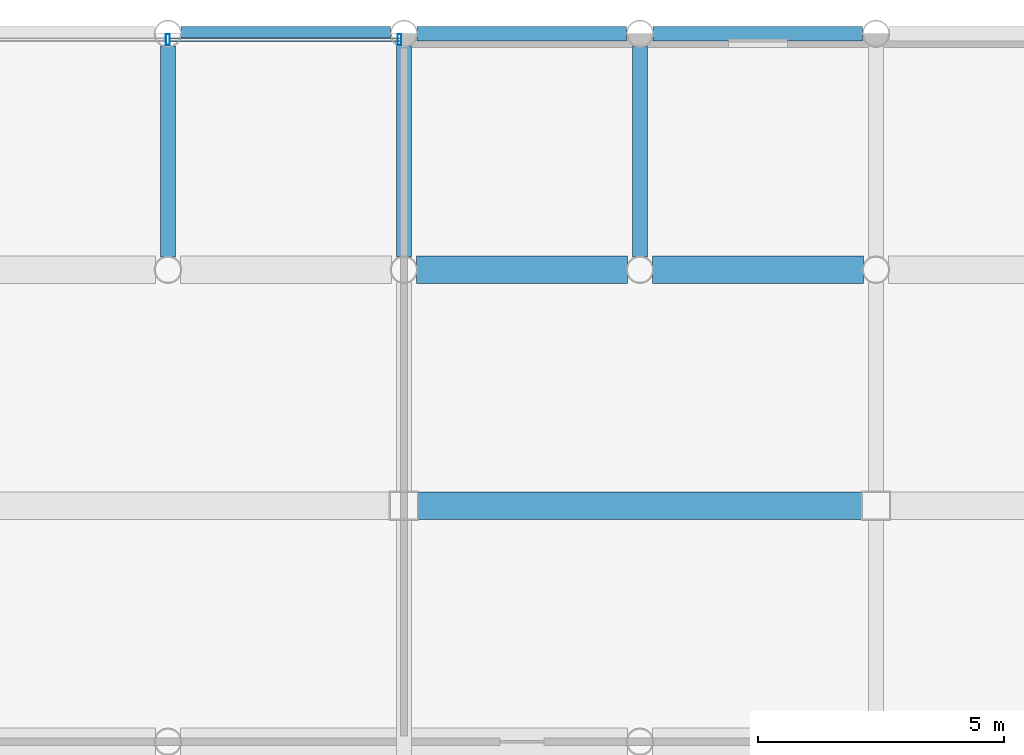
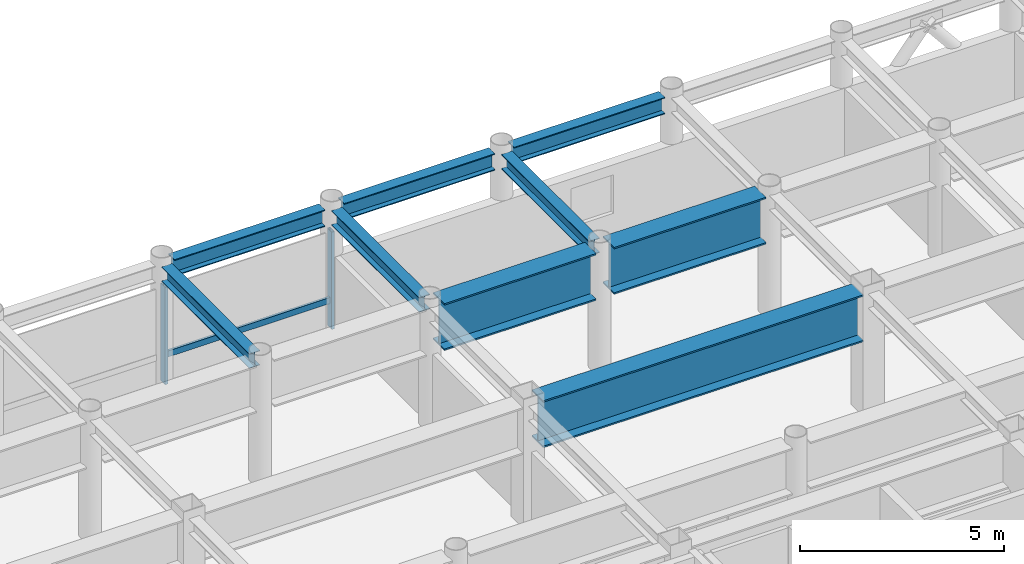
# One storey, part 15 of 21: 9 beams, 3 members, 1 element without a shape of its own.
"""IFC4 building model written with IfcOpenShell, lengths in metres."""

from ifc_helpers import new_model, si_unit, direction, frame, origin, origin_2d, place, context, subcontext, project, spatial, hollow_rectangle, i_section, extrude, material, layer, layer_set, material_profile, profile_set, type_object, element, aggregate, save


model = new_model("IFC4")

# Units and contexts
model_context = context("Model", 3, precision=1e-05, world=origin(), true_north=direction((0.0, 1.0)))
body_context = subcontext(model_context, "Body", "Model", "MODEL_VIEW")
ifc_project = project(units=[si_unit("LENGTHUNIT", "METRE"), si_unit("AREAUNIT", "SQUARE_METRE"), si_unit("VOLUMEUNIT", "CUBIC_METRE"), si_unit("PLANEANGLEUNIT", "RADIAN"), si_unit("MASSUNIT", "GRAM", prefix="KILO")], contexts=[model_context])

# Site, building, storey
site_placement = place(None, origin())
site = spatial("IfcSite", under=ifc_project, at=site_placement, CompositionType="ELEMENT")
building_placement = place(site_placement, origin())
building = spatial("IfcBuilding", under=site, at=building_placement, Name="Kallvorn Hotel Tower", CompositionType="ELEMENT")
storey_placement = place(building_placement, frame((0.0, 0.0, 272.35009765625)))
storey = spatial("IfcBuildingStorey", under=building, at=storey_placement, Name="L68", CompositionType="ELEMENT", Elevation=272.35009765625)

# Beams
ifc_material_1 = material(Name="Structural steel S355JR", Category="steel")
ifc_material_profile_1 = material_profile(ifc_material_1, i_section(OverallWidth=0.300048828125, OverallDepth=0.43994140625, WebThickness=0.011474609375, FlangeThickness=0.02099609375, at=origin_2d()), Name="HE 450 A")
ifc_profile_set_1 = profile_set([ifc_material_profile_1], Name="Structural steel S355JR")
beam_type_1 = type_object("IfcBeamType", Name="BM_HE450A", PredefinedType="BEAM", material=ifc_profile_set_1)
for number, where, z_axis, x_axis, name in (
    (1, (0.0, 19.45458984375, 3.3798828125), (0.0, 1.0, 0.0), (-1.0, 0.0, 0.0), "L69 Primary Y-Girder 113"),
    (2, (4.800048828125, 19.45458984375, 3.3798828125), (0.0, 1.0, 0.0), (-1.0, 0.0, 0.0), "L69 Primary Y-Girder 118"),
    (3, (9.60009765625, 19.45458984375, 3.3798828125), (0.0, 1.0, 0.0), (-1.0, 0.0, 0.0), "L69 Primary Y-Girder 121"),
):
    element("IfcBeam", number, at=place(storey_placement, frame(where, z_axis=z_axis, x_axis=x_axis)), inside=storey, type_object=beam_type_1, Name=name, PredefinedType="BEAM", context=body_context, shape_type="SweptSolid", body=[
        extrude(i_section(OverallWidth=0.300048828125, OverallDepth=0.43994140625, WebThickness=0.011474609375, FlangeThickness=0.02099609375, at=origin_2d()), origin(), (0.0, 0.0, 1.0), 4.291015625),
    ])
ifc_material_2 = material(Name="Structural steel S355JR", Category="steel")
ifc_material_profile_2 = material_profile(ifc_material_2, i_section(OverallWidth=0.300048828125, OverallDepth=0.5, WebThickness=0.014404296875, FlangeThickness=0.028076171875, at=origin_2d()), Name="HE 500 B")
ifc_profile_set_2 = profile_set([ifc_material_profile_2], Name="Structural steel S355JR")
beam_type_2 = type_object("IfcBeamType", Name="BM_HE500B", PredefinedType="SPANDREL", material=ifc_profile_set_2)
for number, where, z_axis, x_axis, name in (
    (4, (0.26953125, 24.0, 3.349853515625), (1.0, 0.0, 0.0), (0.0, 1.0, 0.0), "L69 Perimeter Spandrel 169"),
    (5, (5.069580078125, 24.0, 3.349853515625), (1.0, 0.0, 0.0), (0.0, 1.0, 0.0), "L69 Perimeter Spandrel 170"),
):
    element("IfcBeam", number, at=place(storey_placement, frame(where, z_axis=z_axis, x_axis=x_axis)), inside=storey, type_object=beam_type_2, Name=name, PredefinedType="SPANDREL", context=body_context, shape_type="SweptSolid", body=[
        extrude(i_section(OverallWidth=0.300048828125, OverallDepth=0.5, WebThickness=0.014404296875, FlangeThickness=0.028076171875, at=origin_2d()), origin(), (0.0, 0.0, 1.0), 4.260986328125),
    ])
beam_1_placement = place(storey_placement, frame((9.869384765625, 24.0, 3.349853515625), z_axis=(1.0, 0.0, 0.0), x_axis=(0.0, 1.0, 0.0)))
element("IfcBeam", 6, at=beam_1_placement, inside=storey, type_object=beam_type_2, Name="L69 Perimeter Spandrel 171", PredefinedType="SPANDREL", context=body_context, shape_type="SweptSolid", body=[
    extrude(i_section(OverallWidth=0.300048828125, OverallDepth=0.5, WebThickness=0.014404296875, FlangeThickness=0.028076171875, at=origin_2d()), origin(), (0.0, 0.0, 1.0), 4.26123046875),
])
ifc_material_3 = material(Name="Structural steel S355JR", Category="steel")
ifc_material_profile_3 = material_profile(ifc_material_3, i_section(OverallWidth=0.550048828125, OverallDepth=1.39990234375, WebThickness=0.02490234375, FlangeThickness=0.044921875, at=origin_2d()), Name="PG 1400x550x25x45")
ifc_profile_set_3 = profile_set([ifc_material_profile_3], Name="Structural steel S355JR")
beam_type_3 = type_object("IfcBeamType", Name="BM_PG_1400", PredefinedType="BEAM", material=ifc_profile_set_3)
beam_2_placement = place(storey_placement, frame((5.074951171875, 14.39990234375, 2.89990234375), z_axis=(1.0, 0.0, 0.0), x_axis=(0.0, 1.0, 0.0)))
element("IfcBeam", 7, at=beam_2_placement, inside=storey, type_object=beam_type_3, Name="L69 Primary X-Girder 56", PredefinedType="BEAM", context=body_context, shape_type="SweptSolid", body=[
    extrude(i_section(OverallWidth=0.550048828125, OverallDepth=1.39990234375, WebThickness=0.02490234375, FlangeThickness=0.044921875, at=origin_2d()), origin(), (0.0, 0.0, 1.0), 9.050048828125),
])
for number, where, z_axis, x_axis, name in (
    (8, (5.054443359375, 19.199951171875, 2.89990234375), (1.0, 0.0, 0.0), (0.0, 1.0, 0.0), "L69 Primary X-Girder 68"),
    (9, (9.8544921875, 19.199951171875, 2.89990234375), (1.0, 0.0, 0.0), (0.0, 1.0, 0.0), "L69 Primary X-Girder 69"),
):
    element("IfcBeam", number, at=place(storey_placement, frame(where, z_axis=z_axis, x_axis=x_axis)), inside=storey, type_object=beam_type_3, Name=name, PredefinedType="BEAM", context=body_context, shape_type="SweptSolid", body=[
        extrude(i_section(OverallWidth=0.550048828125, OverallDepth=1.39990234375, WebThickness=0.02490234375, FlangeThickness=0.044921875, at=origin_2d()), origin(), (0.0, 0.0, 1.0), 4.291015625),
    ])

# Curtain wall, members
ifc_material_4 = material(Name="Thermally broken black-anodised aluminium AA 6063-T6", Category="aluminium")
ifc_layer = layer(ifc_material_4, 0.22998046875)
ifc_layer_set = layer_set([ifc_layer], Name="CW_SYS_5_HOTEL_HIGH")
curtain_wall_type = type_object("IfcCurtainWallType", Name="CW_SYS_5_HOTEL_HIGH", PredefinedType="USERDEFINED", material=ifc_layer_set)
curtain_wall_placement = place(storey_placement, origin())
curtain_wall = element("IfcCurtainWall", 10, at=curtain_wall_placement, inside=storey, type_object=curtain_wall_type, Name="L68 Dark-Glass Curtain Wall CW-L68-NC", ObjectType="UNITISED CURTAIN WALL", PredefinedType="USERDEFINED")
ifc_material_5 = material(Name="Thermally broken black-anodised aluminium AA 6063-T6", Category="aluminium")
ifc_material_profile_4 = material_profile(ifc_material_5, hollow_rectangle(XDim=0.080078125, YDim=0.219970703125, WallThickness=0.0048828125, at=origin_2d()), Name="MUL 220x80")
ifc_profile_set_4 = profile_set([ifc_material_profile_4], Name="Thermally broken black-anodised aluminium AA 6063-T6")
member_type_1 = type_object("IfcMemberType", Name="CW_MULLION_220x80", PredefinedType="MULLION", material=ifc_profile_set_4)
member_1_placement = place(storey_placement, frame((0.0, 23.8798828125, 0.02001953125), z_axis=(0.0, 0.0, 1.0), x_axis=(1.0, 0.0, 0.0)))
member_1 = element("IfcMember", 11, at=member_1_placement, type_object=member_type_1, Name="CW-L68-NC Mullion 01", PredefinedType="MULLION", context=body_context, shape_type="SweptSolid", body=[
    extrude(hollow_rectangle(XDim=0.080078125, YDim=0.219970703125, WallThickness=0.0048828125, at=origin_2d()), origin(), (0.0, 0.0, 1.0), 2.909912109375),
])
member_2_placement = place(storey_placement, frame((4.7099609375, 23.8798828125, 0.02001953125), z_axis=(0.0, 0.0, 1.0), x_axis=(1.0, 0.0, 0.0)))
member_2 = element("IfcMember", 12, at=member_2_placement, type_object=member_type_1, Name="CW-L68-NC Mullion 02", PredefinedType="MULLION", context=body_context, shape_type="SweptSolid", body=[
    extrude(hollow_rectangle(XDim=0.080078125, YDim=0.219970703125, WallThickness=0.0048828125, at=origin_2d()), origin(), (0.0, 0.0, 1.0), 2.909912109375),
])
ifc_material_6 = material(Name="Thermally broken black-anodised aluminium AA 6063-T6", Category="aluminium")
ifc_material_profile_5 = material_profile(ifc_material_6, hollow_rectangle(XDim=0.070068359375, YDim=0.179931640625, WallThickness=0.00390625, at=origin_2d()), Name="TRN 180x70")
ifc_profile_set_5 = profile_set([ifc_material_profile_5], Name="Thermally broken black-anodised aluminium AA 6063-T6")
member_type_2 = type_object("IfcMemberType", Name="CW_TRANSOM_180x70", PredefinedType="USERDEFINED", material=ifc_profile_set_5)
member_3_placement = place(storey_placement, frame((0.0400390625, 23.8798828125, 0.849853515625), z_axis=(1.0, 0.0, 0.0), x_axis=(0.0, 1.0, 0.0)))
member_3 = element("IfcMember", 13, at=member_3_placement, type_object=member_type_2, Name="CW-L68-NC Transom 01M", ObjectType="TRANSOM", PredefinedType="USERDEFINED", context=body_context, shape_type="SweptSolid", body=[
    extrude(hollow_rectangle(XDim=0.070068359375, YDim=0.179931640625, WallThickness=0.00390625, at=origin_2d()), origin(), (0.0, 0.0, 1.0), 4.669921875),
])
aggregate(curtain_wall, [member_1, member_2, member_3])

save(model, "model.ifc")
